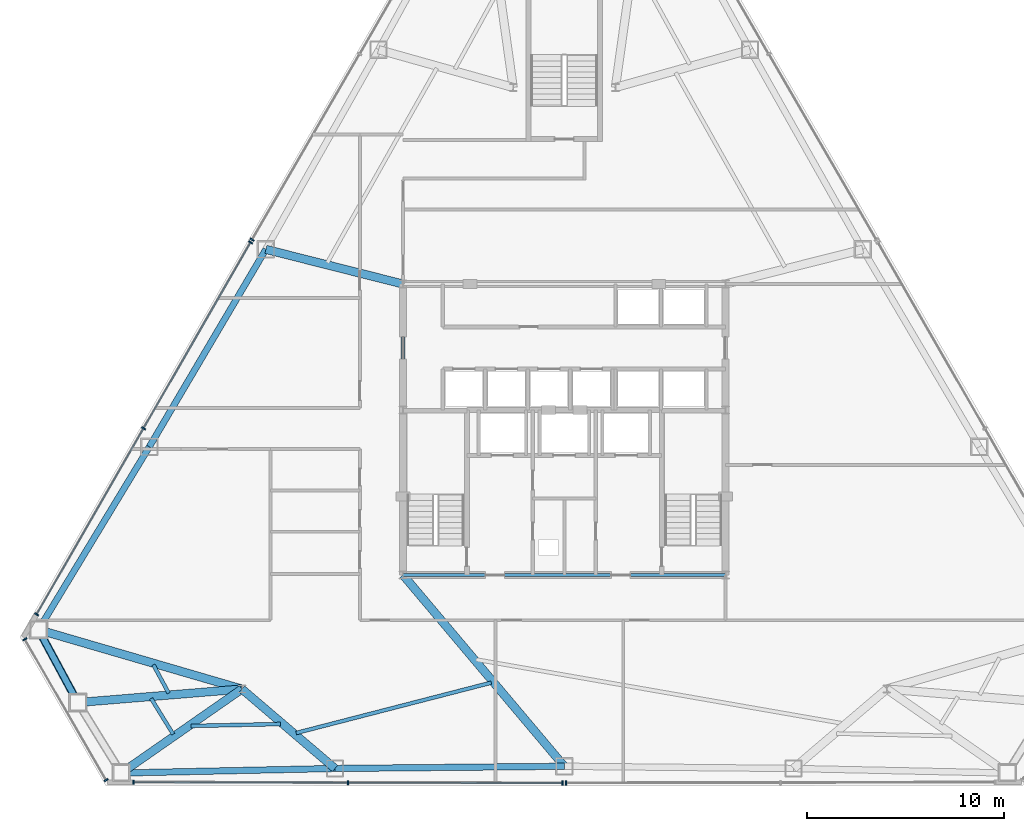
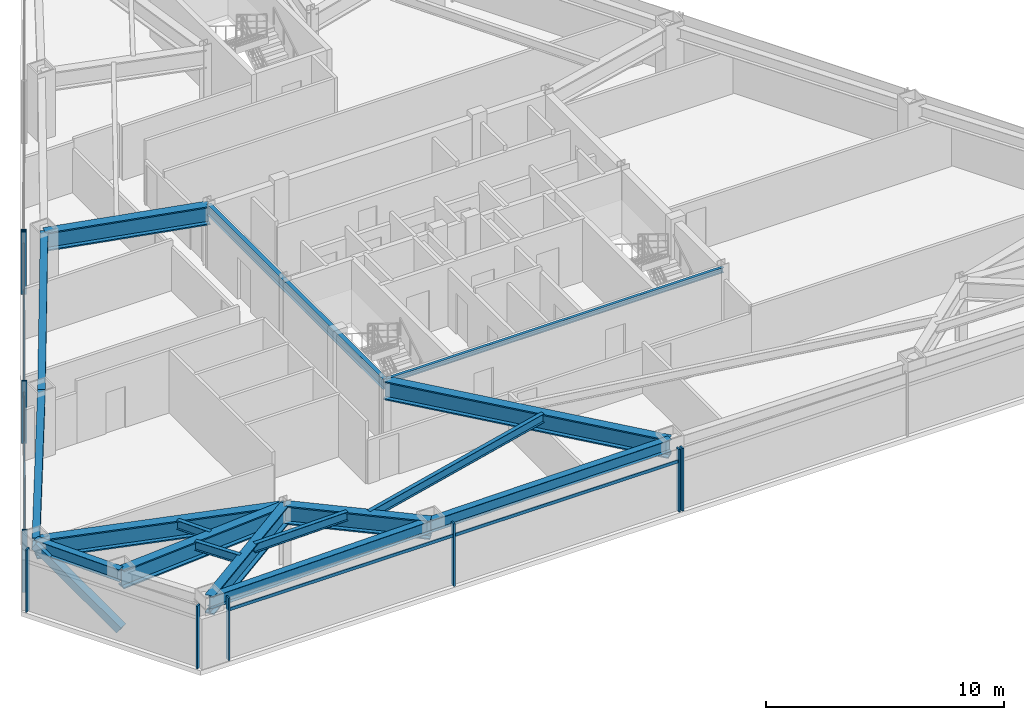
# One storey, part 4 of 13: 17 beams, 13 members, 5 elements without a shape of their own.
"""IFC4 building model written with IfcOpenShell, lengths in metres."""

from ifc_helpers import new_model, si_unit, direction, frame, origin, origin_2d, place, context, subcontext, project, spatial, rectangle, hollow_rectangle, i_section, extrude, source, transform, mapped, material, layer, layer_set, material_profile, profile_set, type_object, type_shapes, element, aggregate, save


model = new_model("IFC4")

# Units and contexts
model_context = context("Model", 3, precision=1e-05, world=origin(), true_north=direction((0.0, 1.0)))
body_context = subcontext(model_context, "Body", "Model", "MODEL_VIEW")
ifc_project = project(units=[si_unit("LENGTHUNIT", "METRE"), si_unit("AREAUNIT", "SQUARE_METRE"), si_unit("VOLUMEUNIT", "CUBIC_METRE"), si_unit("PLANEANGLEUNIT", "RADIAN"), si_unit("MASSUNIT", "GRAM", prefix="KILO")], contexts=[model_context])

# Site, building, storey
site_placement = place(None, origin())
site = spatial("IfcSite", under=ifc_project, at=site_placement, CompositionType="ELEMENT")
building_placement = place(site_placement, origin())
building = spatial("IfcBuilding", under=site, at=building_placement, Name="Varakhsha Concourse Tower", CompositionType="ELEMENT")
storey_placement = place(building_placement, frame((0.0, 0.0, 122.89990234375)))
storey = spatial("IfcBuildingStorey", under=building, at=storey_placement, Name="L35", CompositionType="ELEMENT", Elevation=122.89990234375)

# Beams
ifc_material_1 = material(Name="Structural Steel ASTM A992 Grade 50", Category="steel")
ifc_material_profile_1 = material_profile(ifc_material_1, i_section(OverallWidth=0.19091796875, OverallDepth=0.45703125, WebThickness=0.009033203125, FlangeThickness=0.013916015625, at=origin_2d()), Name="W18X50")
ifc_profile_set_1 = profile_set([ifc_material_profile_1], Name="Structural Steel ASTM A992 Grade 50")
beam_type_1 = type_object("IfcBeamType", Name="BM-JST-W18X50", PredefinedType="JOIST", material=ifc_profile_set_1)
beam_1_placement = place(storey_placement, frame((19.1005859375, 11.83154296875, 2.981689453125), z_axis=(0.474928924702, -0.88002415676, 0.0), x_axis=(0.88002415676, 0.474928924702, 0.0)))
element("IfcBeam", 1, at=beam_1_placement, inside=storey, type_object=beam_type_1, Name="BM-TJST-L35-07", PredefinedType="JOIST", context=body_context, shape_type="SweptSolid", body=[
    extrude(i_section(OverallWidth=0.19091796875, OverallDepth=0.45703125, WebThickness=0.009033203125, FlangeThickness=0.013916015625, at=origin_2d()), origin(), (0.0, 0.0, 1.0), 1.632568359375),
])
beam_2_placement = place(storey_placement, frame((18.984619140625, 10.121826171875, 2.981689453125), z_axis=(0.524619789349, -0.851336641184, 0.0), x_axis=(0.851336641184, 0.524619789349, 0.0)))
element("IfcBeam", 2, at=beam_2_placement, inside=storey, type_object=beam_type_1, Name="BM-TJST-L35-08", PredefinedType="JOIST", context=body_context, shape_type="SweptSolid", body=[
    extrude(i_section(OverallWidth=0.19091796875, OverallDepth=0.45703125, WebThickness=0.009033203125, FlangeThickness=0.013916015625, at=origin_2d()), origin(), (0.0, 0.0, 1.0), 2.137939453125),
])
beam_3_placement = place(storey_placement, frame((21.01025390625, 8.722900390625, 2.981689453125), z_axis=(0.999774600356, 0.021230837996, 0.0), x_axis=(-0.021230837996, 0.999774600356, 0.0)))
element("IfcBeam", 3, at=beam_3_placement, inside=storey, type_object=beam_type_1, Name="BM-TJST-L35-09", PredefinedType="JOIST", context=body_context, shape_type="SweptSolid", body=[
    extrude(i_section(OverallWidth=0.19091796875, OverallDepth=0.45703125, WebThickness=0.009033203125, FlangeThickness=0.013916015625, at=origin_2d()), origin(), (0.0, 0.0, 1.0), 4.565185546875),
])
beam_4_placement = place(storey_placement, frame((26.359375, 8.36474609375, 2.981689453125), z_axis=(0.968318391646, 0.249718826682, 0.0), x_axis=(-0.249718826682, 0.968318391646, 0.0)))
element("IfcBeam", 4, at=beam_4_placement, inside=storey, type_object=beam_type_1, Name="BM-TJST-L35-10", PredefinedType="JOIST", context=body_context, shape_type="SweptSolid", body=[
    extrude(i_section(OverallWidth=0.19091796875, OverallDepth=0.45703125, WebThickness=0.009033203125, FlangeThickness=0.013916015625, at=origin_2d()), origin(), (0.0, 0.0, 1.0), 10.250732421875),
])
ifc_material_profile_2 = material_profile(ifc_material_1, i_section(OverallWidth=0.14697265625, OverallDepth=0.261962890625, WebThickness=0.007080078125, FlangeThickness=0.010986328125, at=origin_2d()), Name="W10X26")
ifc_profile_set_2 = profile_set([ifc_material_profile_2], Name="Structural Steel ASTM A992 Grade 50")
beam_type_2 = type_object("IfcBeamType", Name="BM-LNTL-W10X26", PredefinedType="LINTEL", material=ifc_profile_set_2)
beam_5_placement = place(storey_placement, frame((31.800048828125, 16.39990234375, 3.0791015625), z_axis=(1.0, 0.0, 0.0), x_axis=(0.0, 1.0, 0.0)))
element("IfcBeam", 5, at=beam_5_placement, inside=storey, type_object=beam_type_2, Name="BM-TCORE-L35-CS", PredefinedType="LINTEL", context=body_context, shape_type="SweptSolid", body=[
    extrude(i_section(OverallWidth=0.14697265625, OverallDepth=0.261962890625, WebThickness=0.007080078125, FlangeThickness=0.010986328125, at=origin_2d()), origin(), (0.0, 0.0, 1.0), 16.39990234375),
])
ifc_material_profile_3 = material_profile(ifc_material_1, i_section(OverallWidth=0.423095703125, OverallDepth=0.947998046875, WebThickness=0.0380859375, FlangeThickness=0.06396484375, at=origin_2d()), Name="W36X302")
ifc_profile_set_3 = profile_set([ifc_material_profile_3], Name="Structural Steel ASTM A992 Grade 50")
beam_type_3 = type_object("IfcBeamType", Name="BM-OUTR-W36X302", PredefinedType="USERDEFINED", material=ifc_profile_set_3)
beam_6_placement = place(storey_placement, frame((31.800048828125, 31.199951171875, 2.736083984375), z_axis=(-0.969508926841, 0.245055995183, 0.0), x_axis=(-0.245055995183, -0.969508926841, 0.0)))
element("IfcBeam", 6, at=beam_6_placement, inside=storey, type_object=beam_type_3, Name="L35 Radial Floor Girder 05", ObjectType="GIRDER", PredefinedType="USERDEFINED", context=body_context, shape_type="SweptSolid", body=[
    extrude(i_section(OverallWidth=0.423095703125, OverallDepth=0.947998046875, WebThickness=0.0380859375, FlangeThickness=0.06396484375, at=origin_2d()), origin(), (0.0, 0.0, 1.0), 7.199951171875),
])
beam_7_placement = place(storey_placement, frame((23.60009765625, 10.60009765625, 2.736083984375), z_axis=(-0.959956092068, 0.280150497593, 0.0), x_axis=(-0.280150497593, -0.959956092068, 0.0)))
element("IfcBeam", 7, at=beam_7_placement, inside=storey, type_object=beam_type_3, Name="L35 Radial Floor Girder 07", ObjectType="GIRDER", PredefinedType="USERDEFINED", context=body_context, shape_type="SweptSolid", body=[
    extrude(i_section(OverallWidth=0.423095703125, OverallDepth=0.947998046875, WebThickness=0.0380859375, FlangeThickness=0.06396484375, at=origin_2d()), origin(), (0.0, 0.0, 1.0), 10.776611328125),
])
beam_8_placement = place(storey_placement, frame((23.60009765625, 10.60009765625, 2.736083984375), z_axis=(-0.996630888182, -0.082017514729, 0.0), x_axis=(0.082017514729, -0.996630888182, 0.0)))
element("IfcBeam", 8, at=beam_8_placement, inside=storey, type_object=beam_type_3, Name="L35 Radial Floor Girder 08", ObjectType="GIRDER", PredefinedType="USERDEFINED", context=body_context, shape_type="SweptSolid", body=[
    extrude(i_section(OverallWidth=0.423095703125, OverallDepth=0.947998046875, WebThickness=0.0380859375, FlangeThickness=0.06396484375, at=origin_2d()), origin(), (0.0, 0.0, 1.0), 8.37353515625),
])
beam_9_placement = place(storey_placement, frame((23.60009765625, 10.60009765625, 2.736083984375), z_axis=(-0.820723448581, -0.57132566978, 0.0), x_axis=(0.57132566978, -0.820723448581, 0.0)))
element("IfcBeam", 9, at=beam_9_placement, inside=storey, type_object=beam_type_3, Name="L35 Radial Floor Girder 09", ObjectType="GIRDER", PredefinedType="USERDEFINED", context=body_context, shape_type="SweptSolid", body=[
    extrude(i_section(OverallWidth=0.423095703125, OverallDepth=0.947998046875, WebThickness=0.0380859375, FlangeThickness=0.06396484375, at=origin_2d()), origin(), (0.0, 0.0, 1.0), 7.47607421875),
])
beam_10_placement = place(storey_placement, frame((23.60009765625, 10.60009765625, 2.736083984375), z_axis=(0.760826549382, -0.648955284866, 0.0), x_axis=(0.648955284866, 0.760826549382, 0.0)))
element("IfcBeam", 10, at=beam_10_placement, inside=storey, type_object=beam_type_3, Name="L35 Radial Floor Girder 10", ObjectType="GIRDER", PredefinedType="USERDEFINED", context=body_context, shape_type="SweptSolid", body=[
    extrude(i_section(OverallWidth=0.423095703125, OverallDepth=0.947998046875, WebThickness=0.0380859375, FlangeThickness=0.06396484375, at=origin_2d()), origin(), (0.0, 0.0, 1.0), 6.226318359375),
])
beam_11_placement = place(storey_placement, frame((31.800048828125, 16.39990234375, 2.736083984375), z_axis=(0.644481351405, -0.764620028309, 0.0), x_axis=(0.764620028309, 0.644481351405, 0.0)))
element("IfcBeam", 11, at=beam_11_placement, inside=storey, type_object=beam_type_3, Name="L35 Radial Floor Girder 11", ObjectType="GIRDER", PredefinedType="USERDEFINED", context=body_context, shape_type="SweptSolid", body=[
    extrude(i_section(OverallWidth=0.423095703125, OverallDepth=0.947998046875, WebThickness=0.0380859375, FlangeThickness=0.06396484375, at=origin_2d()), origin(), (0.0, 0.0, 1.0), 12.723388671875),
])
ifc_material_profile_4 = material_profile(ifc_material_1, i_section(OverallWidth=0.2109375, OverallDepth=0.5390625, WebThickness=0.011962890625, FlangeThickness=0.01904296875, at=origin_2d()), Name="W21X73")
ifc_profile_set_4 = profile_set([ifc_material_profile_4], Name="Structural Steel ASTM A992 Grade 50")
beam_type_4 = type_object("IfcBeamType", Name="BM-RAD-W21X73", PredefinedType="BEAM", material=ifc_profile_set_4)
beam_12_placement = place(storey_placement, frame((31.800048828125, 16.39990234375, 2.940673828125), z_axis=(0.0, 1.0, 0.0), x_axis=(-1.0, 0.0, 0.0)))
element("IfcBeam", 12, at=beam_12_placement, inside=storey, type_object=beam_type_4, Name="BM-TCORE-L35-CW", PredefinedType="BEAM", context=body_context, shape_type="SweptSolid", body=[
    extrude(i_section(OverallWidth=0.2109375, OverallDepth=0.5390625, WebThickness=0.011962890625, FlangeThickness=0.01904296875, at=origin_2d()), origin(), (0.0, 0.0, 1.0), 14.800048828125),
])
ifc_material_profile_5 = material_profile(ifc_material_1, i_section(OverallWidth=0.323974609375, OverallDepth=0.611083984375, WebThickness=0.012939453125, FlangeThickness=0.01904296875, at=origin_2d()), Name="W24X104")
ifc_profile_set_5 = profile_set([ifc_material_profile_5], Name="Structural Steel ASTM A992 Grade 50")
beam_type_5 = type_object("IfcBeamType", Name="BM-SPAN-W24X104", PredefinedType="SPANDREL", material=ifc_profile_set_5)
beam_13_placement = place(storey_placement, frame((24.819580078125, 32.96435546875, 2.904541015625), z_axis=(-0.508260965331, -0.861203106776, 0.0), x_axis=(0.861203106776, -0.508260965331, 0.0)))
element("IfcBeam", 13, at=beam_13_placement, inside=storey, type_object=beam_type_5, Name="BM-SPAN-L35-05", PredefinedType="SPANDREL", context=body_context, shape_type="SweptSolid", body=[
    extrude(i_section(OverallWidth=0.323974609375, OverallDepth=0.611083984375, WebThickness=0.012939453125, FlangeThickness=0.01904296875, at=origin_2d()), origin(), (0.0, 0.0, 1.0), 11.663330078125),
])
beam_14_placement = place(storey_placement, frame((18.8916015625, 22.919921875, 2.904541015625), z_axis=(-0.518277337211, -0.855212606159, 0.0), x_axis=(0.855212606159, -0.518277337211, 0.0)))
element("IfcBeam", 14, at=beam_14_placement, inside=storey, type_object=beam_type_5, Name="BM-SPAN-L35-06", PredefinedType="SPANDREL", context=body_context, shape_type="SweptSolid", body=[
    extrude(i_section(OverallWidth=0.323974609375, OverallDepth=0.611083984375, WebThickness=0.012939453125, FlangeThickness=0.01904296875, at=origin_2d()), origin(), (0.0, 0.0, 1.0), 10.87548828125),
])
beam_15_placement = place(storey_placement, frame((13.255126953125, 13.619140625, 2.904541015625), z_axis=(0.474894827548, -0.880042557362, 0.0), x_axis=(0.880042557362, 0.474894827548, 0.0)))
element("IfcBeam", 15, at=beam_15_placement, inside=storey, type_object=beam_type_5, Name="BM-SPAN-L35-07", PredefinedType="SPANDREL", context=body_context, shape_type="SweptSolid", body=[
    extrude(i_section(OverallWidth=0.323974609375, OverallDepth=0.611083984375, WebThickness=0.012939453125, FlangeThickness=0.01904296875, at=origin_2d()), origin(), (0.0, 0.0, 1.0), 4.2109375),
])
beam_16_placement = place(storey_placement, frame((17.46435546875, 6.328857421875, 2.904541015625), z_axis=(0.999774947376, 0.021214490295, 0.0), x_axis=(-0.021214490295, 0.999774947376, 0.0)))
element("IfcBeam", 16, at=beam_16_placement, inside=storey, type_object=beam_type_5, Name="BM-SPAN-L35-09", PredefinedType="SPANDREL", context=body_context, shape_type="SweptSolid", body=[
    extrude(i_section(OverallWidth=0.323974609375, OverallDepth=0.611083984375, WebThickness=0.012939453125, FlangeThickness=0.01904296875, at=origin_2d()), origin(), (0.0, 0.0, 1.0), 10.875244140625),
])
beam_17_placement = place(storey_placement, frame((28.337158203125, 6.5595703125, 2.904541015625), z_axis=(0.999954043986, 0.009586965987, 0.0), x_axis=(-0.009586965987, 0.999954043986, 0.0)))
element("IfcBeam", 17, at=beam_17_placement, inside=storey, type_object=beam_type_5, Name="BM-SPAN-L35-10", PredefinedType="SPANDREL", context=body_context, shape_type="SweptSolid", body=[
    extrude(i_section(OverallWidth=0.323974609375, OverallDepth=0.611083984375, WebThickness=0.012939453125, FlangeThickness=0.01904296875, at=origin_2d()), origin(), (0.0, 0.0, 1.0), 11.663330078125),
])

# Member
ifc_material_2 = material(Name="Structural Steel ASTM A500 Grade C", Category="steel")
ifc_material_profile_6 = material_profile(ifc_material_2, hollow_rectangle(XDim=0.39990234375, YDim=0.39990234375, WallThickness=0.01611328125, at=origin_2d()), Name="HSS 400x400x16")
ifc_profile_set_6 = profile_set([ifc_material_profile_6], Name="Structural Steel ASTM A500 Grade C")
member_type_1 = type_object("IfcMemberType", Name="MB-TUBE-HSS400", PredefinedType="BRACE", material=ifc_profile_set_6)
shared_shape_1 = source(origin(), body_context, "Body", "SweptSolid", [
    extrude(hollow_rectangle(XDim=0.39990234375, YDim=0.39990234375, WallThickness=0.01611328125, at=origin_2d()), origin(), (0.0, 0.0, 1.0), 5.05126953125),
])
type_shapes(member_type_1, [shared_shape_1])
member_1_placement = place(storey_placement, frame((15.2548828125, 9.913330078125, 0.1201171875), z_axis=(-0.395883594231, 0.733624353173, 0.552332769488), x_axis=(-0.880042557362, -0.474894827548, 0.0)))
element("IfcMember", 18, at=member_1_placement, inside=storey, type_object=member_type_1, Name="L35 Wind-Corner Tube Brace B03", PredefinedType="BRACE", context=body_context, shape_type="MappedRepresentation", body=[
    mapped(shared_shape_1, transform((0.0, 0.0, 0.0), scale=1.0)),
])

# Curtain wall, member
ifc_material_3 = material(Name="Anodised Bronze Architectural Aluminium AA 6063-T6", Category="aluminium")
ifc_layer = layer(ifc_material_3, 0.2099609375, Name="CW-SYS-04")
ifc_layer_set = layer_set([ifc_layer], Name="Anodised Bronze Architectural Aluminium AA 6063-T6")
curtain_wall_type = type_object("IfcCurtainWallType", Name="CW-SYS-04", PredefinedType="NOTDEFINED", material=ifc_layer_set)
curtain_wall_1_placement = place(storey_placement, origin())
curtain_wall_1 = element("IfcCurtainWall", 19, at=curtain_wall_1_placement, inside=storey, type_object=curtain_wall_type, Name="L35 Crystal Curtain Wall F3", PredefinedType="NOTDEFINED")
ifc_material_profile_7 = material_profile(ifc_material_3, rectangle(XDim=0.06494140625, YDim=0.159912109375, at=origin_2d()), Name="CWT-160X65")
ifc_profile_set_7 = profile_set([ifc_material_profile_7], Name="Anodised Bronze Architectural Aluminium AA 6063-T6")
member_type_2 = type_object("IfcMemberType", Name="CWT-160X65", PredefinedType="USERDEFINED", material=ifc_profile_set_7)
shared_shape_2 = source(origin(), body_context, "Body", "SweptSolid", [
    extrude(rectangle(XDim=0.06494140625, YDim=0.159912109375, at=origin_2d()), origin(), (0.0, 0.0, 1.0), 21.828369140625),
])
member_2_placement = place(storey_placement, frame((13.160888671875, 14.398193359375, 2.56005859375), z_axis=(0.498482261443, 0.866899899081, 0.0), x_axis=(-0.866899899081, 0.498482261443, 0.0)))
member_2 = element("IfcMember", 20, at=member_2_placement, type_object=member_type_2, Name="CW-L35-F3 Transom 01", ObjectType="TRANSOM", PredefinedType="USERDEFINED", context=body_context, shape_type="MappedRepresentation", body=[
    mapped(shared_shape_2, transform((0.0, 0.0, 0.0), scale=1.0)),
])

curtain_wall_2_placement = place(storey_placement, origin())
curtain_wall_2 = element("IfcCurtainWall", 21, at=curtain_wall_2_placement, inside=storey, type_object=curtain_wall_type, Name="L35 Crystal Curtain Wall F5", PredefinedType="NOTDEFINED")
shared_shape_3 = source(origin(), body_context, "Body", "SweptSolid", [
    extrude(rectangle(XDim=0.06494140625, YDim=0.159912109375, at=origin_2d()), origin(), (0.0, 0.0, 1.0), 21.82861328125),
])
type_shapes(member_type_2, [shared_shape_2, shared_shape_3])
member_3_placement = place(storey_placement, frame((39.92041015625, 5.8193359375, 2.56005859375), z_axis=(-0.99999847789, 0.001744768623, 0.0), x_axis=(-0.001744768623, -0.99999847789, 0.0)))
member_3 = element("IfcMember", 22, at=member_3_placement, type_object=member_type_2, Name="CW-L35-F5 Transom 01", ObjectType="TRANSOM", PredefinedType="USERDEFINED", context=body_context, shape_type="MappedRepresentation", body=[
    mapped(shared_shape_3, transform((0.0, 0.0, 0.0), scale=1.0)),
])

curtain_wall_3_placement = place(storey_placement, origin())
curtain_wall_3 = element("IfcCurtainWall", 23, at=curtain_wall_3_placement, inside=storey, type_object=curtain_wall_type, Name="L35 Crystal Curtain Wall F2", PredefinedType="NOTDEFINED")
ifc_material_profile_8 = material_profile(ifc_material_3, rectangle(XDim=0.074951171875, YDim=0.219970703125, at=origin_2d()), Name="CWM-220X75")
ifc_profile_set_8 = profile_set([ifc_material_profile_8], Name="Anodised Bronze Architectural Aluminium AA 6063-T6")
member_type_3 = type_object("IfcMemberType", Name="CWM-220X75", PredefinedType="MULLION", material=ifc_profile_set_8)
shared_shape_4 = source(origin(), body_context, "Body", "SweptSolid", [
    extrude(rectangle(XDim=0.074951171875, YDim=0.219970703125, at=origin_2d()), origin(), (0.0, 0.0, 1.0), 3.210205078125),
])
type_shapes(member_type_3, [shared_shape_4])
member_4_placement = place(storey_placement, frame((24.121826171875, 33.459228515625, 0.0), z_axis=(0.0, 0.0, 1.0), x_axis=(0.501513757105, 0.865149669962, 0.0)))
member_4 = element("IfcMember", 24, at=member_4_placement, type_object=member_type_3, Name="CW-L35-F2 Mullion 00", PredefinedType="MULLION", context=body_context, shape_type="MappedRepresentation", body=[
    mapped(shared_shape_4, transform((0.0, 0.0, 0.0), scale=1.0)),
])
aggregate(curtain_wall_3, [member_4])

# Member
member_5_placement = place(storey_placement, frame((13.160888671875, 14.398193359375, 0.0), z_axis=(0.0, 0.0, 1.0), x_axis=(0.498489252773, 0.866895878909, 0.0)))
member_5 = element("IfcMember", 25, at=member_5_placement, type_object=member_type_3, Name="CW-L35-F3 Mullion 00", PredefinedType="MULLION", context=body_context, shape_type="MappedRepresentation", body=[
    mapped(shared_shape_4, transform((0.0, 0.0, 0.0), scale=1.0)),
])

member_6_placement = place(storey_placement, frame((18.6015625, 23.859619140625, 0.0), z_axis=(0.0, 0.0, 1.0), x_axis=(0.498489252773, 0.866895878909, 0.0)))
member_6 = element("IfcMember", 26, at=member_6_placement, type_object=member_type_3, Name="CW-L35-F3 Mullion 01", PredefinedType="MULLION", context=body_context, shape_type="MappedRepresentation", body=[
    mapped(shared_shape_4, transform((0.0, 0.0, 0.0), scale=1.0)),
])

member_7_placement = place(storey_placement, frame((24.0419921875, 33.3212890625, 0.0), z_axis=(0.0, 0.0, 1.0), x_axis=(0.498489252773, 0.866895878909, 0.0)))
member_7 = element("IfcMember", 27, at=member_7_placement, type_object=member_type_3, Name="CW-L35-F3 Mullion 02", PredefinedType="MULLION", context=body_context, shape_type="MappedRepresentation", body=[
    mapped(shared_shape_4, transform((0.0, 0.0, 0.0), scale=1.0)),
])

aggregate(curtain_wall_1, [member_5, member_6, member_7, member_2])

# Curtain wall, members
curtain_wall_4_placement = place(storey_placement, origin())
curtain_wall_4 = element("IfcCurtainWall", 28, at=curtain_wall_4_placement, inside=storey, type_object=curtain_wall_type, Name="L35 Chamfer Curtain Wall F4", PredefinedType="NOTDEFINED")
member_8_placement = place(storey_placement, frame((16.699951171875, 5.970458984375, 0.0), z_axis=(0.0, 0.0, 1.0), x_axis=(-0.500001511499, 0.866024531118, 0.0)))
member_8 = element("IfcMember", 29, at=member_8_placement, type_object=member_type_3, Name="CW-L35-F4 Mullion 00", PredefinedType="MULLION", context=body_context, shape_type="MappedRepresentation", body=[
    mapped(shared_shape_4, transform((0.0, 0.0, 0.0), scale=1.0)),
])
member_9_placement = place(storey_placement, frame((12.562744140625, 13.13623046875, 0.0), z_axis=(0.0, 0.0, 1.0), x_axis=(-0.500001511499, 0.866024531118, 0.0)))
member_9 = element("IfcMember", 30, at=member_9_placement, type_object=member_type_3, Name="CW-L35-F4 Mullion 01", PredefinedType="MULLION", context=body_context, shape_type="MappedRepresentation", body=[
    mapped(shared_shape_4, transform((0.0, 0.0, 0.0), scale=1.0)),
])
aggregate(curtain_wall_4, [member_8, member_9])

# Member
member_10_placement = place(storey_placement, frame((39.92041015625, 5.8193359375, 0.0), z_axis=(0.0, 0.0, 1.0), x_axis=(-0.999998476913, 0.001745328366, 0.0)))
member_10 = element("IfcMember", 31, at=member_10_placement, type_object=member_type_3, Name="CW-L35-F5 Mullion 00", PredefinedType="MULLION", context=body_context, shape_type="MappedRepresentation", body=[
    mapped(shared_shape_4, transform((0.0, 0.0, 0.0), scale=1.0)),
])

member_11_placement = place(storey_placement, frame((29.006103515625, 5.83837890625, 0.0), z_axis=(0.0, 0.0, 1.0), x_axis=(-0.999998476913, 0.001745328366, 0.0)))
member_11 = element("IfcMember", 32, at=member_11_placement, type_object=member_type_3, Name="CW-L35-F5 Mullion 01", PredefinedType="MULLION", context=body_context, shape_type="MappedRepresentation", body=[
    mapped(shared_shape_4, transform((0.0, 0.0, 0.0), scale=1.0)),
])

member_12_placement = place(storey_placement, frame((18.091796875, 5.857421875, 0.0), z_axis=(0.0, 0.0, 1.0), x_axis=(-0.999998476913, 0.001745328366, 0.0)))
member_12 = element("IfcMember", 33, at=member_12_placement, type_object=member_type_3, Name="CW-L35-F5 Mullion 02", PredefinedType="MULLION", context=body_context, shape_type="MappedRepresentation", body=[
    mapped(shared_shape_4, transform((0.0, 0.0, 0.0), scale=1.0)),
])

aggregate(curtain_wall_2, [member_10, member_11, member_12, member_3])

# Curtain wall, member
curtain_wall_5_placement = place(storey_placement, origin())
curtain_wall_5 = element("IfcCurtainWall", 34, at=curtain_wall_5_placement, inside=storey, type_object=curtain_wall_type, Name="L35 Crystal Curtain Wall F6", PredefinedType="NOTDEFINED")
member_13_placement = place(storey_placement, frame((40.07958984375, 5.8193359375, 0.0), z_axis=(0.0, 0.0, 1.0), x_axis=(-0.999998476913, -0.001745328366, 0.0)))
member_13 = element("IfcMember", 35, at=member_13_placement, type_object=member_type_3, Name="CW-L35-F6 Mullion 02", PredefinedType="MULLION", context=body_context, shape_type="MappedRepresentation", body=[
    mapped(shared_shape_4, transform((0.0, 0.0, 0.0), scale=1.0)),
])
aggregate(curtain_wall_5, [member_13])

save(model, "model.ifc")
